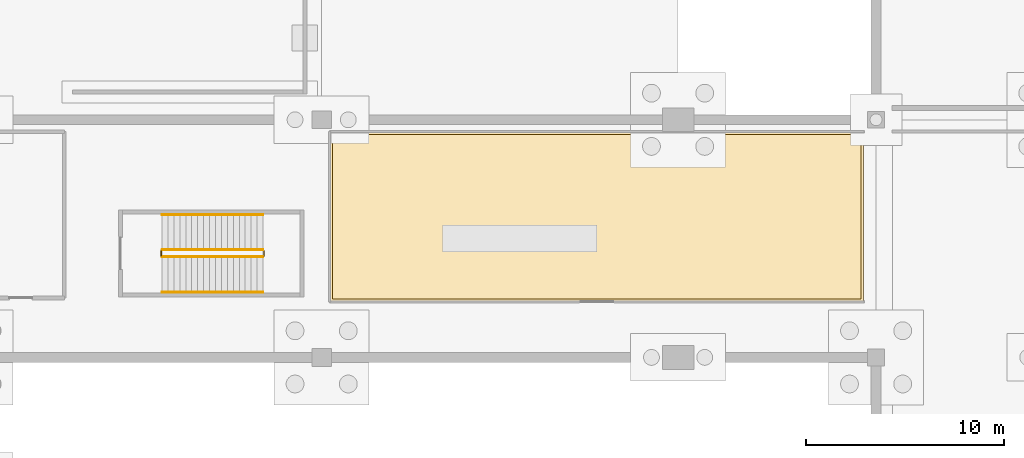
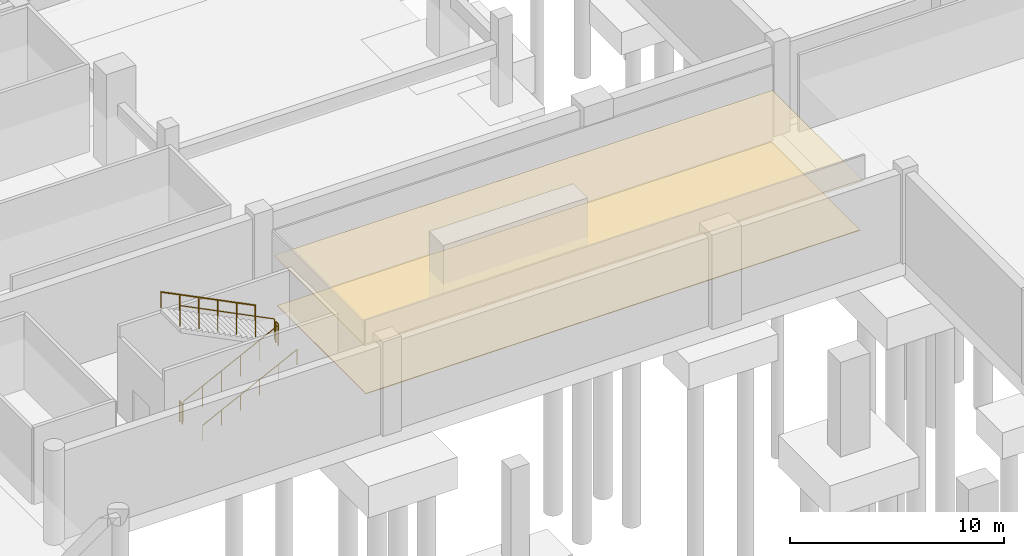
# One storey, part 20 of 26: 6 railings, 2 coverings.
"""IFC4 building model written with IfcOpenShell, lengths in metres."""

from ifc_helpers import new_model, si_unit, direction, frame, origin, origin_2d, place, context, subcontext, project, spatial, polyline, circle, outline, extrude, material, layer, layer_set, type_object, element, save


model = new_model("IFC4")

# Units and contexts
model_context = context("Model", 3, precision=1e-05, world=origin(), true_north=direction((0.0, 1.0)))
body_context = subcontext(model_context, "Body", "Model", "MODEL_VIEW")
ifc_project = project(units=[si_unit("LENGTHUNIT", "METRE"), si_unit("AREAUNIT", "SQUARE_METRE"), si_unit("VOLUMEUNIT", "CUBIC_METRE"), si_unit("PLANEANGLEUNIT", "RADIAN"), si_unit("MASSUNIT", "GRAM", prefix="KILO")], contexts=[model_context])

# Site, building, storey
site_placement = place(None, origin())
site = spatial("IfcSite", under=ifc_project, at=site_placement, CompositionType="ELEMENT")
building_placement = place(site_placement, origin())
building = spatial("IfcBuilding", under=site, at=building_placement, Name="Chuanluo Vaults Station", CompositionType="ELEMENT")
storey_placement = place(building_placement, frame((0.0, 0.0, -5.39990234375)))
storey = spatial("IfcBuildingStorey", under=building, at=storey_placement, Name="B1", CompositionType="ELEMENT", Elevation=-5.39990234375)

# Coverings
ifc_material_1 = material(Name="Acoustic mineral-fibre tile")
ifc_layer_1 = layer(ifc_material_1, 0.02490234375)
ifc_layer_set_1 = layer_set([ifc_layer_1], Name="Acoustic mineral-fibre tile")
covering_type_1 = type_object("IfcCoveringType", Name="COV-CEIL-TILE", PredefinedType="CEILING", material=ifc_layer_set_1)
covering_1_placement = place(storey_placement, frame((0.0, 0.0, 2.849853515625)))
element("IfcCovering", 1, at=covering_1_placement, inside=storey, type_object=covering_type_1, Name="B1-04 suspended acoustic ceiling", PredefinedType="CEILING", context=body_context, shape_type="SweptSolid", body=[
    extrude(outline(polyline([(108.43994140625, 44.840087890625), (135.360107421875, 44.840087890625), (135.360107421875, 53.360107421875), (108.43994140625, 53.360107421875), (108.43994140625, 44.840087890625)])), origin(), (0.0, 0.0, 1.0), 0.025146484375),
])
ifc_material_2 = material(Name="Granite stone flooring", Category="masonry")
ifc_layer_2 = layer(ifc_material_2, 0.034912109375)
ifc_layer_set_2 = layer_set([ifc_layer_2], Name="Granite stone flooring")
covering_type_2 = type_object("IfcCoveringType", Name="COV-FLOR-GRAN", PredefinedType="FLOORING", material=ifc_layer_set_2)
covering_2_placement = place(storey_placement, origin())
element("IfcCovering", 2, at=covering_2_placement, inside=storey, type_object=covering_type_2, Name="B1-04 granite floor finish", PredefinedType="FLOORING", context=body_context, shape_type="SweptSolid", body=[
    extrude(outline(polyline([(108.550048828125, 44.949951171875), (135.25, 44.949951171875), (135.25, 53.25), (108.550048828125, 53.25), (108.550048828125, 44.949951171875)])), origin(), (0.0, 0.0, 1.0), 0.034912109375),
])

# Railings
ifc_material_3 = material(Name="Tempered laminated balustrade glass", Category="glass")
railing_type_1 = type_object("IfcRailingType", Name="RLG-GUARD-1200", PredefinedType="BALUSTRADE", material=ifc_material_3)
railing_1_placement = place(storey_placement, frame((99.9375, 47.074951171875, 0.14990234375)))
element("IfcRailing", 3, at=railing_1_placement, inside=storey, type_object=railing_type_1, Name="B1 ST-25 stair guard 1", PredefinedType="BALUSTRADE", context=body_context, shape_type="SweptSolid", body=[
    extrude(circle(Radius=0.02392578125, at=origin_2d()), frame((0.0, 0.0, 1.17578125), z_axis=(0.894427191, 0.0, 0.4472135955), x_axis=(0.0, 1.0, 0.0)), (0.0, 0.0, 1.0), 5.7021484375),
    extrude(circle(Radius=0.02099609375, at=origin_2d()), origin(), (0.0, 0.0, 1.0), 1.15185546875),
    extrude(circle(Radius=0.02099609375, at=origin_2d()), frame((1.02001953125, 0.0, 0.510009765625)), (0.0, 0.0, 1.0), 1.15185546875),
    extrude(circle(Radius=0.02099609375, at=origin_2d()), frame((2.0400390625, 0.0, 1.02001953125)), (0.0, 0.0, 1.0), 1.15185546875),
    extrude(circle(Radius=0.02099609375, at=origin_2d()), frame((3.06005859375, 0.0, 1.530029296875)), (0.0, 0.0, 1.0), 1.15185546875),
    extrude(circle(Radius=0.02099609375, at=origin_2d()), frame((4.080078125, 0.0, 2.0400390625)), (0.0, 0.0, 1.0), 1.15185546875),
    extrude(circle(Radius=0.02099609375, at=origin_2d()), frame((5.10009765625, 0.0, 2.550048828125)), (0.0, 0.0, 1.0), 1.15185546875),
])
railing_2_placement = place(storey_placement, frame((105.08740234375, 47.125, 2.699951171875)))
element("IfcRailing", 4, at=railing_2_placement, inside=storey, type_object=railing_type_1, Name="B1 ST-25 stair guard 2", PredefinedType="BALUSTRADE", context=body_context, shape_type="SweptSolid", body=[
    extrude(circle(Radius=0.02392578125, at=origin_2d()), frame((0.0, 0.0, 1.17578125), z_axis=(0.0, 1.0, 0.0), x_axis=(-1.0, 0.0, 0.0)), (0.0, 0.0, 1.0), 0.25),
    extrude(circle(Radius=0.02099609375, at=origin_2d()), origin(), (0.0, 0.0, 1.0), 1.15185546875),
    extrude(circle(Radius=0.02099609375, at=origin_2d()), frame((0.0, 0.25, 0.0)), (0.0, 0.0, 1.0), 1.15185546875),
])
railing_3_placement = place(storey_placement, frame((105.03759765625, 47.425048828125, 2.849853515625)))
element("IfcRailing", 5, at=railing_3_placement, inside=storey, type_object=railing_type_1, Name="B1 ST-25 stair guard 3", PredefinedType="BALUSTRADE", context=body_context, shape_type="SweptSolid", body=[
    extrude(circle(Radius=0.02392578125, at=origin_2d()), frame((0.0, 0.0, 1.17578125), z_axis=(-0.894427191, 0.0, 0.4472135955), x_axis=(0.0, -1.0, 0.0)), (0.0, 0.0, 1.0), 5.7021484375),
    extrude(circle(Radius=0.02099609375, at=origin_2d()), origin(), (0.0, 0.0, 1.0), 1.15185546875),
    extrude(circle(Radius=0.02099609375, at=origin_2d()), frame((-1.02001953125, 0.0, 0.510009765625)), (0.0, 0.0, 1.0), 1.15185546875),
    extrude(circle(Radius=0.02099609375, at=origin_2d()), frame((-2.0400390625, 0.0, 1.02001953125)), (0.0, 0.0, 1.0), 1.15185546875),
    extrude(circle(Radius=0.02099609375, at=origin_2d()), frame((-3.06005859375, 0.0, 1.530029296875)), (0.0, 0.0, 1.0), 1.15185546875),
    extrude(circle(Radius=0.02099609375, at=origin_2d()), frame((-4.080078125, 0.0, 2.0400390625)), (0.0, 0.0, 1.0), 1.15185546875),
    extrude(circle(Radius=0.02099609375, at=origin_2d()), frame((-5.10009765625, 0.0, 2.550048828125)), (0.0, 0.0, 1.0), 1.15185546875),
])
railing_4_placement = place(storey_placement, frame((99.887451171875, 47.125, 0.0)))
element("IfcRailing", 6, at=railing_4_placement, inside=storey, type_object=railing_type_1, Name="B1 ST-25 stair guard 4", PredefinedType="BALUSTRADE", context=body_context, shape_type="SweptSolid", body=[
    extrude(circle(Radius=0.02392578125, at=origin_2d()), frame((0.0, 0.0, 1.17578125), z_axis=(0.0, 1.0, 0.0), x_axis=(-1.0, 0.0, 0.0)), (0.0, 0.0, 1.0), 0.25),
    extrude(circle(Radius=0.02099609375, at=origin_2d()), origin(), (0.0, 0.0, 1.0), 1.15185546875),
    extrude(circle(Radius=0.02099609375, at=origin_2d()), frame((0.0, 0.25, 0.0)), (0.0, 0.0, 1.0), 1.15185546875),
])
ifc_material_4 = material(Name="Brushed stainless steel 304", Category="steel")
railing_type_2 = type_object("IfcRailingType", Name="RLG-HAND-900", PredefinedType="HANDRAIL", material=ifc_material_4)
railing_5_placement = place(storey_placement, frame((99.9375, 45.300048828125, 0.14990234375)))
element("IfcRailing", 7, at=railing_5_placement, inside=storey, type_object=railing_type_2, Name="B1 ST-25 stair handrail 1", PredefinedType="HANDRAIL", context=body_context, shape_type="SweptSolid", body=[
    extrude(circle(Radius=0.02392578125, at=origin_2d()), frame((0.0, 0.0, 0.8759765625), z_axis=(0.894427191, 0.0, 0.4472135955), x_axis=(0.0, 1.0, 0.0)), (0.0, 0.0, 1.0), 5.7021484375),
    extrude(circle(Radius=0.02099609375, at=origin_2d()), origin(), (0.0, 0.0, 1.0), 0.851806640625),
    extrude(circle(Radius=0.02099609375, at=origin_2d()), frame((1.02001953125, 0.0, 0.510009765625)), (0.0, 0.0, 1.0), 0.851806640625),
    extrude(circle(Radius=0.02099609375, at=origin_2d()), frame((2.0400390625, 0.0, 1.02001953125)), (0.0, 0.0, 1.0), 0.851806640625),
    extrude(circle(Radius=0.02099609375, at=origin_2d()), frame((3.06005859375, 0.0, 1.530029296875)), (0.0, 0.0, 1.0), 0.851806640625),
    extrude(circle(Radius=0.02099609375, at=origin_2d()), frame((4.080078125, 0.0, 2.0400390625)), (0.0, 0.0, 1.0), 0.851806640625),
    extrude(circle(Radius=0.02099609375, at=origin_2d()), frame((5.10009765625, 0.0, 2.550048828125)), (0.0, 0.0, 1.0), 0.851806640625),
])
railing_6_placement = place(storey_placement, frame((105.03759765625, 49.199951171875, 2.849853515625)))
element("IfcRailing", 8, at=railing_6_placement, inside=storey, type_object=railing_type_2, Name="B1 ST-25 stair handrail 2", PredefinedType="HANDRAIL", context=body_context, shape_type="SweptSolid", body=[
    extrude(circle(Radius=0.02392578125, at=origin_2d()), frame((0.0, 0.0, 0.8759765625), z_axis=(-0.894427191, 0.0, 0.4472135955), x_axis=(0.0, -1.0, 0.0)), (0.0, 0.0, 1.0), 5.7021484375),
    extrude(circle(Radius=0.02099609375, at=origin_2d()), origin(), (0.0, 0.0, 1.0), 0.851806640625),
    extrude(circle(Radius=0.02099609375, at=origin_2d()), frame((-1.02001953125, 0.0, 0.510009765625)), (0.0, 0.0, 1.0), 0.851806640625),
    extrude(circle(Radius=0.02099609375, at=origin_2d()), frame((-2.0400390625, 0.0, 1.02001953125)), (0.0, 0.0, 1.0), 0.851806640625),
    extrude(circle(Radius=0.02099609375, at=origin_2d()), frame((-3.06005859375, 0.0, 1.530029296875)), (0.0, 0.0, 1.0), 0.851806640625),
    extrude(circle(Radius=0.02099609375, at=origin_2d()), frame((-4.080078125, 0.0, 2.0400390625)), (0.0, 0.0, 1.0), 0.851806640625),
    extrude(circle(Radius=0.02099609375, at=origin_2d()), frame((-5.10009765625, 0.0, 2.550048828125)), (0.0, 0.0, 1.0), 0.851806640625),
])

save(model, "model.ifc")
